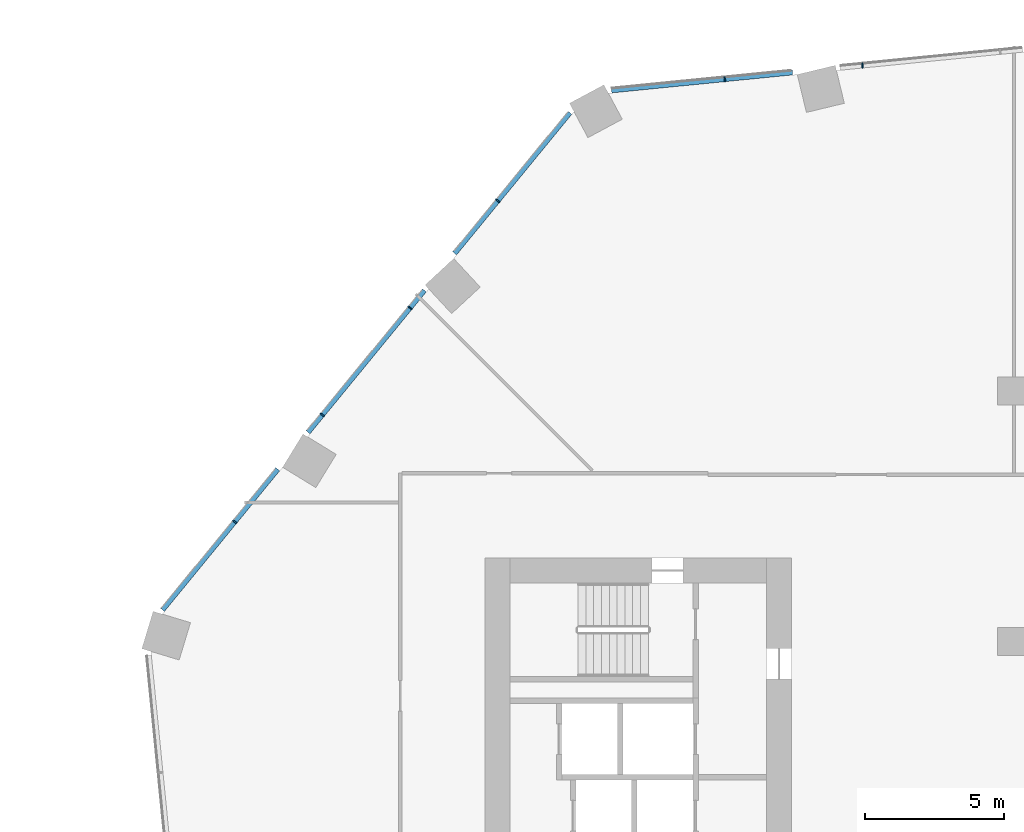
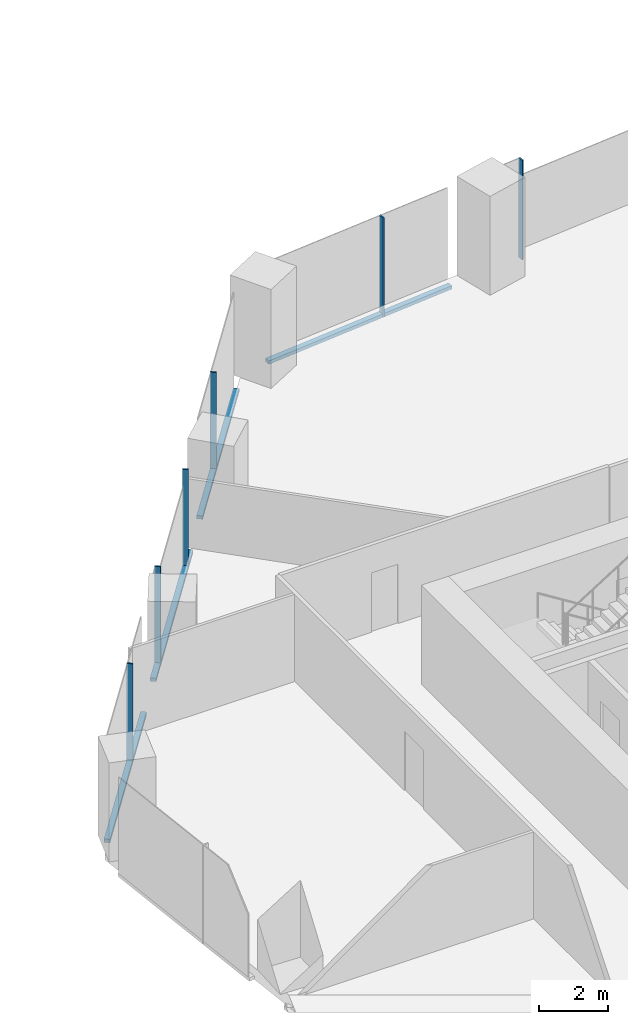
# One storey, part 12 of 33: 10 members, 2 elements without a shape of their own.
"""IFC4 building model written with IfcOpenShell, lengths in metres."""

from ifc_helpers import new_model, si_unit, direction, frame, origin, origin_2d, place, context, subcontext, project, spatial, rectangle, extrude, material, material_profile, profile_set, type_object, element, aggregate, save


model = new_model("IFC4")

# Units and contexts
model_context = context("Model", 3, precision=1e-05, world=origin(), true_north=direction((0.0, 1.0)))
body_context = subcontext(model_context, "Body", "Model", "MODEL_VIEW")
ifc_project = project(units=[si_unit("LENGTHUNIT", "METRE"), si_unit("AREAUNIT", "SQUARE_METRE"), si_unit("VOLUMEUNIT", "CUBIC_METRE"), si_unit("PLANEANGLEUNIT", "RADIAN"), si_unit("MASSUNIT", "GRAM", prefix="KILO")], contexts=[model_context])

# Site, building, storey
site_placement = place(None, origin())
site = spatial("IfcSite", under=ifc_project, at=site_placement, CompositionType="ELEMENT")
building_placement = place(site_placement, origin())
building = spatial("IfcBuilding", under=site, at=building_placement, Name="Orlundy Tower", CompositionType="ELEMENT")
storey_placement = place(building_placement, frame((0.0, 0.0, 51.300048828125)))
storey = spatial("IfcBuildingStorey", under=building, at=storey_placement, Name="L11", CompositionType="ELEMENT", Elevation=51.300048828125)

# Curtain wall, members
ifc_material_1 = material(Name="Aluminium bronze anodised", Category="aluminium")
curtain_wall_type = type_object("IfcCurtainWallType", Name="CW1 wall", PredefinedType="NOTDEFINED", material=ifc_material_1)
curtain_wall_1_placement = place(storey_placement, origin())
curtain_wall_1 = element("IfcCurtainWall", 1, at=curtain_wall_1_placement, inside=storey, type_object=curtain_wall_type, Name="CW1 run 02", PredefinedType="NOTDEFINED")
ifc_material_2 = material(Name="Aluminium bronze anodised", Category="aluminium")
ifc_material_profile_1 = material_profile(ifc_material_2, rectangle(XDim=0.179931640625, YDim=0.050048828125, at=origin_2d()), Name="CW1 mullion 50x180")
ifc_profile_set_1 = profile_set([ifc_material_profile_1], Name="Aluminium bronze anodised")
member_type_1 = type_object("IfcMemberType", Name="CW1 mullion 50x180", PredefinedType="MULLION", material=ifc_profile_set_1)
member_1_placement = place(storey_placement, frame((-27.999267578125, 13.3046875, -0.420166015625), z_axis=(0.0, 0.0, 1.0), x_axis=(-0.773482002143, 0.633818264458, 0.0)))
member_1 = element("IfcMember", 2, at=member_1_placement, type_object=member_type_1, Name="CW1 mullion 10", PredefinedType="MULLION", context=body_context, shape_type="SweptSolid", body=[
    extrude(rectangle(XDim=0.179931640625, YDim=0.050048828125, at=origin_2d()), origin(), (0.0, 0.0, 1.0), 3.52001953125),
])
member_2_placement = place(storey_placement, frame((-24.848876953125, 17.149169921875, -0.420166015625), z_axis=(0.0, 0.0, 1.0), x_axis=(-0.773482002143, 0.633818264458, 0.0)))
member_2 = element("IfcMember", 3, at=member_2_placement, type_object=member_type_1, Name="CW1 mullion 11", PredefinedType="MULLION", context=body_context, shape_type="SweptSolid", body=[
    extrude(rectangle(XDim=0.179931640625, YDim=0.050048828125, at=origin_2d()), origin(), (0.0, 0.0, 1.0), 3.52001953125),
])
member_3_placement = place(storey_placement, frame((-21.698486328125, 20.993896484375, -0.420166015625), z_axis=(0.0, 0.0, 1.0), x_axis=(-0.773482002143, 0.633818264458, 0.0)))
member_3 = element("IfcMember", 4, at=member_3_placement, type_object=member_type_1, Name="CW1 mullion 12", PredefinedType="MULLION", context=body_context, shape_type="SweptSolid", body=[
    extrude(rectangle(XDim=0.179931640625, YDim=0.050048828125, at=origin_2d()), origin(), (0.0, 0.0, 1.0), 3.52001953125),
])
member_4_placement = place(storey_placement, frame((-18.548095703125, 24.83837890625, -0.420166015625), z_axis=(0.0, 0.0, 1.0), x_axis=(-0.773482002143, 0.633818264458, 0.0)))
member_4 = element("IfcMember", 5, at=member_4_placement, type_object=member_type_1, Name="CW1 mullion 13", PredefinedType="MULLION", context=body_context, shape_type="SweptSolid", body=[
    extrude(rectangle(XDim=0.179931640625, YDim=0.050048828125, at=origin_2d()), origin(), (0.0, 0.0, 1.0), 3.52001953125),
])

curtain_wall_2_placement = place(storey_placement, origin())
curtain_wall_2 = element("IfcCurtainWall", 6, at=curtain_wall_2_placement, inside=storey, type_object=curtain_wall_type, Name="CW1 run 03", PredefinedType="NOTDEFINED")
member_5_placement = place(storey_placement, frame((-10.390625, 29.206298828125, -0.420166015625), z_axis=(0.0, 0.0, 1.0), x_axis=(-0.098742763424, 0.995112991912, 0.0)))
member_5 = element("IfcMember", 7, at=member_5_placement, type_object=member_type_1, Name="CW1 mullion 15", PredefinedType="MULLION", context=body_context, shape_type="SweptSolid", body=[
    extrude(rectangle(XDim=0.179931640625, YDim=0.050048828125, at=origin_2d()), origin(), (0.0, 0.0, 1.0), 3.52001953125),
])
member_6_placement = place(storey_placement, frame((-5.444580078125, 29.697265625, -0.420166015625), z_axis=(0.0, 0.0, 1.0), x_axis=(-0.098742763424, 0.995112991912, 0.0)))
member_6 = element("IfcMember", 8, at=member_6_placement, type_object=member_type_1, Name="CW1 mullion 16", PredefinedType="MULLION", context=body_context, shape_type="SweptSolid", body=[
    extrude(rectangle(XDim=0.179931640625, YDim=0.050048828125, at=origin_2d()), origin(), (0.0, 0.0, 1.0), 3.52001953125),
])

# Member
ifc_material_3 = material(Name="Aluminium bronze anodised", Category="aluminium")
ifc_material_profile_2 = material_profile(ifc_material_3, rectangle(XDim=0.179931640625, YDim=0.1201171875, at=origin_2d()), Name="CW1 transom 180x120")
ifc_profile_set_2 = profile_set([ifc_material_profile_2], Name="Aluminium bronze anodised")
member_type_2 = type_object("IfcMemberType", Name="CW1 transom 180x120", PredefinedType="USERDEFINED", material=ifc_profile_set_2)
member_7_placement = place(storey_placement, frame((-30.590087890625, 10.142822265625, -0.360107421875), z_axis=(0.633823853358, 0.773477422369, 0.0), x_axis=(-0.773477422369, 0.633823853358, 0.0)))
member_7 = element("IfcMember", 9, at=member_7_placement, type_object=member_type_2, Name="CW1 transom", ObjectType="TRANSOM", PredefinedType="USERDEFINED", context=body_context, shape_type="SweptSolid", body=[
    extrude(rectangle(XDim=0.179931640625, YDim=0.1201171875, at=origin_2d()), origin(), (0.0, 0.0, 1.0), 6.53125),
])

member_8_placement = place(storey_placement, frame((-25.36279296875, 16.52197265625, -0.360107421875), z_axis=(0.633828457298, 0.77347364966, 0.0), x_axis=(-0.77347364966, 0.633828457298, 0.0)))
member_8 = element("IfcMember", 10, at=member_8_placement, type_object=member_type_2, Name="CW1 transom", ObjectType="TRANSOM", PredefinedType="USERDEFINED", context=body_context, shape_type="SweptSolid", body=[
    extrude(rectangle(XDim=0.179931640625, YDim=0.1201171875, at=origin_2d()), origin(), (0.0, 0.0, 1.0), 6.5927734375),
])

member_9_placement = place(storey_placement, frame((-20.096435546875, 22.94873046875, -0.360107421875), z_axis=(0.633805527975, 0.773492438688, 0.0), x_axis=(-0.773492438688, 0.633805527975, 0.0)))
member_9 = element("IfcMember", 11, at=member_9_placement, type_object=member_type_2, Name="CW1 transom", ObjectType="TRANSOM", PredefinedType="USERDEFINED", context=body_context, shape_type="SweptSolid", body=[
    extrude(rectangle(XDim=0.179931640625, YDim=0.1201171875, at=origin_2d()), origin(), (0.0, 0.0, 1.0), 6.531494140625),
])

aggregate(curtain_wall_1, [member_1, member_2, member_3, member_4, member_7, member_8, member_9])

member_10_placement = place(storey_placement, frame((-14.457763671875, 28.802734375, -0.360107421875), z_axis=(0.995111303398, 0.098759778505, 0.0), x_axis=(-0.098759778505, 0.995111303398, 0.0)))
member_10 = element("IfcMember", 12, at=member_10_placement, type_object=member_type_2, Name="CW1 transom", ObjectType="TRANSOM", PredefinedType="USERDEFINED", context=body_context, shape_type="SweptSolid", body=[
    extrude(rectangle(XDim=0.179931640625, YDim=0.1201171875, at=origin_2d()), origin(), (0.0, 0.0, 1.0), 6.53125),
])

aggregate(curtain_wall_2, [member_5, member_6, member_10])

save(model, "model.ifc")
